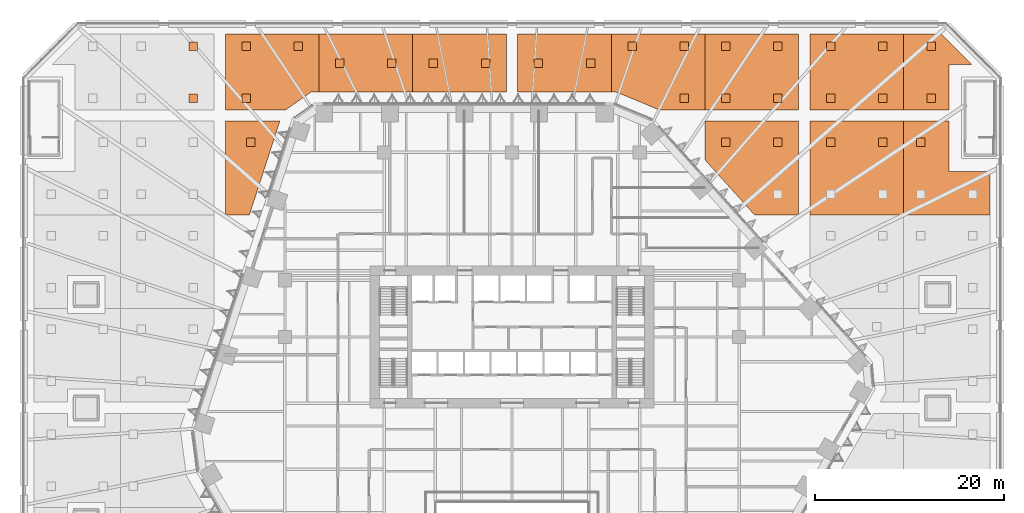
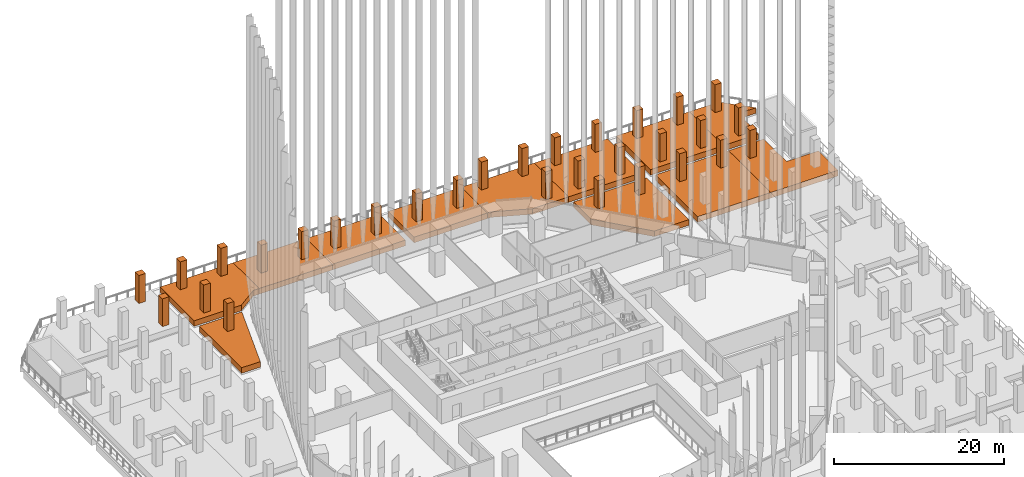
# One storey, part 51 of 51: 30 geographic elements, 12 proxies.
"""IFC4 building model written with IfcOpenShell, lengths in metres."""

from ifc_helpers import new_model, si_unit, direction, frame, origin, origin_2d, place, context, subcontext, project, spatial, polyline, rectangle, outline, extrude, material, type_object, element, save


model = new_model("IFC4")

# Units and contexts
model_context = context("Model", 3, precision=1e-05, world=origin(), true_north=direction((0.0, 1.0)))
body_context = subcontext(model_context, "Body", "Model", "MODEL_VIEW")
ifc_project = project(units=[si_unit("LENGTHUNIT", "METRE"), si_unit("AREAUNIT", "SQUARE_METRE"), si_unit("VOLUMEUNIT", "CUBIC_METRE"), si_unit("PLANEANGLEUNIT", "RADIAN"), si_unit("MASSUNIT", "GRAM", prefix="KILO")], contexts=[model_context])

# Site, building, storey
site_placement = place(None, origin())
site = spatial("IfcSite", under=ifc_project, at=site_placement, CompositionType="ELEMENT")
building_placement = place(site_placement, origin())
building = spatial("IfcBuilding", under=site, at=building_placement, Name="Isthmus Gate Tower", CompositionType="ELEMENT")
storey_placement = place(building_placement, frame((0.0, 0.0, 36.0)))
storey = spatial("IfcBuildingStorey", under=building, at=storey_placement, Name="L06", CompositionType="ELEMENT", Elevation=36.0)

# Geographic elements
ifc_material_1 = material(Name="Plant material, broadleaf tree")
geographic_element_type = type_object("IfcGeographicElementType", Name="BROADLEAF TREE 4000 HIGH", PredefinedType="USERDEFINED", material=ifc_material_1)
for number, where, z_axis, x_axis, name in (
    (1, (-33.699951171875, 32.75, 1.050048828125), (0.0, 0.0, 1.0), (1.0, 0.0, 0.0), "TREE"),
    (2, (-33.699951171875, 38.25, 1.050048828125), (0.0, 0.0, 1.0), (1.0, 0.0, 0.0), "TREE"),
    (3, (-27.59814453125, 28.10009765625, 1.050048828125), (0.0, 0.0, 1.0), (1.0, 0.0, 0.0), "TREE"),
    (4, (-28.10009765625, 32.75, 1.050048828125), (0.0, 0.0, 1.0), (1.0, 0.0, 0.0), "TREE"),
    (5, (-28.10009765625, 38.25, 1.050048828125), (0.0, 0.0, 1.0), (1.0, 0.0, 0.0), "TREE"),
    (6, (-22.60009765625, 38.25, 1.050048828125), (0.0, 0.0, 1.0), (1.0, 0.0, 0.0), "TREE"),
    (7, (-18.199951171875, 36.449951171875, 1.050048828125), (0.0, 0.0, 1.0), (1.0, 0.0, 0.0), "TREE"),
    (8, (-12.699951171875, 36.449951171875, 1.050048828125), (0.0, 0.0, 1.0), (1.0, 0.0, 0.0), "TREE"),
    (9, (-8.300048828125, 36.449951171875, 1.050048828125), (0.0, 0.0, 1.0), (1.0, 0.0, 0.0), "TREE"),
    (10, (-2.800048828125, 36.449951171875, 1.050048828125), (0.0, 0.0, 1.0), (1.0, 0.0, 0.0), "TREE"),
    (11, (2.800048828125, 36.449951171875, 1.050048828125), (0.0, 0.0, 1.0), (1.0, 0.0, 0.0), "TREE"),
    (12, (8.300048828125, 36.449951171875, 1.050048828125), (0.0, 0.0, 1.0), (1.0, 0.0, 0.0), "TREE"),
    (13, (12.699951171875, 38.25, 1.050048828125), (0.0, 0.0, 1.0), (1.0, 0.0, 0.0), "TREE"),
    (14, (18.199951171875, 32.75, 1.050048828125), (0.0, 0.0, 1.0), (1.0, 0.0, 0.0), "TREE"),
    (15, (18.199951171875, 38.25, 1.050048828125), (0.0, 0.0, 1.0), (1.0, 0.0, 0.0), "TREE"),
    (16, (22.60009765625, 32.75, 1.050048828125), (0.0, 0.0, 1.0), (1.0, 0.0, 0.0), "TREE"),
    (17, (22.60009765625, 38.25, 1.050048828125), (0.0, 0.0, 1.0), (1.0, 0.0, 0.0), "TREE"),
    (18, (28.10009765625, 32.75, 1.050048828125), (0.0, 0.0, 1.0), (1.0, 0.0, 0.0), "TREE"),
    (19, (28.10009765625, 38.25, 1.050048828125), (0.0, 0.0, 1.0), (1.0, 0.0, 0.0), "TREE"),
    (20, (22.60009765625, 28.10009765625, 1.050048828125), (0.0, 0.0, 1.0), (1.0, 0.0, 0.0), "TREE"),
    (21, (28.10009765625, 28.10009765625, 1.050048828125), (0.0, 0.0, 1.0), (1.0, 0.0, 0.0), "TREE"),
    (22, (33.699951171875, 28.10009765625, 1.050048828125), (0.0, 0.0, 1.0), (1.0, 0.0, 0.0), "TREE"),
    (23, (39.199951171875, 28.10009765625, 1.050048828125), (0.0, 0.0, 1.0), (1.0, 0.0, 0.0), "TREE"),
    (24, (33.699951171875, 32.75, 1.050048828125), (0.0, 0.0, 1.0), (1.0, 0.0, 0.0), "TREE"),
    (25, (33.699951171875, 38.25, 1.050048828125), (0.0, 0.0, 1.0), (1.0, 0.0, 0.0), "TREE"),
    (26, (39.199951171875, 32.75, 1.050048828125), (0.0, 0.0, 1.0), (1.0, 0.0, 0.0), "TREE"),
    (27, (39.199951171875, 38.25, 1.050048828125), (0.0, 0.0, 1.0), (1.0, 0.0, 0.0), "TREE"),
    (28, (44.317626953125, 32.75, 1.050048828125), (0.0, 0.0, 1.0), (1.0, 0.0, 0.0), "TREE"),
    (29, (44.317626953125, 38.25, 1.050048828125), (0.0, 0.0, 1.0), (1.0, 0.0, 0.0), "TREE"),
    (30, (43.199951171875, 28.10009765625, 1.050048828125), (0.0, 0.0, 1.0), (1.0, 0.0, 0.0), "TREE"),
):
    element("IfcGeographicElement", number, at=place(storey_placement, frame(where, z_axis=z_axis, x_axis=x_axis)), inside=storey, type_object=geographic_element_type, Name=name, ObjectType="TREE", PredefinedType="USERDEFINED", context=body_context, shape_type="SweptSolid", body=[
        extrude(rectangle(XDim=0.89990234375, YDim=0.89990234375, at=origin_2d()), origin(), (0.0, 0.0, 1.0), 4.0),
    ])

# Proxies
ifc_material_2 = material(Name="Concrete f'c 40 MPa", Category="concrete")
building_element_proxy_type = type_object("IfcBuildingElementProxyType", Name="STRUCTURAL CONCRETE PLANTER 800 DEEP", PredefinedType="USERDEFINED", material=ifc_material_2)
proxy_1_placement = place(storey_placement, frame((0.0, 0.0, 0.25)))
element("IfcBuildingElementProxy", 31, at=proxy_1_placement, inside=storey, type_object=building_element_proxy_type, Name="PLANTER", ObjectType="PLANTER", PredefinedType="USERDEFINED", context=body_context, shape_type="SweptSolid", body=[
    extrude(outline(polyline([(-30.300048828125, 20.39990234375), (-27.755126953125, 20.39990234375), (-24.53857421875, 30.300048828125), (-30.300048828125, 30.300048828125), (-30.300048828125, 20.39990234375)])), origin(), (0.0, 0.0, 1.0), 0.800048828125),
])
proxy_2_placement = place(storey_placement, frame((0.0, 0.0, 0.25)))
element("IfcBuildingElementProxy", 32, at=proxy_2_placement, inside=storey, type_object=building_element_proxy_type, Name="PLANTER", ObjectType="PLANTER", PredefinedType="USERDEFINED", context=body_context, shape_type="SweptSolid", body=[
    extrude(outline(polyline([(-20.39990234375, 33.39990234375), (-20.39990234375, 39.5), (-30.300048828125, 39.5), (-30.300048828125, 31.5), (-23.919921875, 31.5), (-21.219482421875, 33.39990234375), (-20.39990234375, 33.39990234375)])), origin(), (0.0, 0.0, 1.0), 0.800048828125),
])
proxy_3_placement = place(storey_placement, frame((0.0, 0.0, 0.25)))
element("IfcBuildingElementProxy", 33, at=proxy_3_placement, inside=storey, type_object=building_element_proxy_type, Name="PLANTER", ObjectType="PLANTER", PredefinedType="USERDEFINED", context=body_context, shape_type="SweptSolid", body=[
    extrude(outline(polyline([(-10.5, 33.39990234375), (-10.5, 39.5), (-20.39990234375, 39.5), (-20.39990234375, 33.39990234375), (-10.5, 33.39990234375)])), origin(), (0.0, 0.0, 1.0), 0.800048828125),
])
proxy_4_placement = place(storey_placement, frame((0.0, 0.0, 0.25)))
element("IfcBuildingElementProxy", 34, at=proxy_4_placement, inside=storey, type_object=building_element_proxy_type, Name="PLANTER", ObjectType="PLANTER", PredefinedType="USERDEFINED", context=body_context, shape_type="SweptSolid", body=[
    extrude(outline(polyline([(-0.60009765625, 33.39990234375), (-0.60009765625, 39.5), (-10.5, 39.5), (-10.5, 33.39990234375), (-0.60009765625, 33.39990234375)])), origin(), (0.0, 0.0, 1.0), 0.800048828125),
])
proxy_5_placement = place(storey_placement, frame((0.0, 0.0, 0.25)))
element("IfcBuildingElementProxy", 35, at=proxy_5_placement, inside=storey, type_object=building_element_proxy_type, Name="PLANTER", ObjectType="PLANTER", PredefinedType="USERDEFINED", context=body_context, shape_type="SweptSolid", body=[
    extrude(outline(polyline([(10.5, 33.39990234375), (10.5, 39.5), (0.60009765625, 39.5), (0.60009765625, 33.39990234375), (10.5, 33.39990234375)])), origin(), (0.0, 0.0, 1.0), 0.800048828125),
])
proxy_6_placement = place(storey_placement, frame((0.0, 0.0, 0.25)))
element("IfcBuildingElementProxy", 36, at=proxy_6_placement, inside=storey, type_object=building_element_proxy_type, Name="PLANTER", ObjectType="PLANTER", PredefinedType="USERDEFINED", context=body_context, shape_type="SweptSolid", body=[
    extrude(outline(polyline([(20.39990234375, 31.5), (20.39990234375, 39.5), (10.5, 39.5), (10.5, 33.39990234375), (10.9814453125, 33.39990234375), (15.550537109375, 31.5), (20.39990234375, 31.5)])), origin(), (0.0, 0.0, 1.0), 0.800048828125),
])
proxy_7_placement = place(storey_placement, frame((0.0, 0.0, 0.25)))
element("IfcBuildingElementProxy", 37, at=proxy_7_placement, inside=storey, type_object=building_element_proxy_type, Name="PLANTER", ObjectType="PLANTER", PredefinedType="USERDEFINED", context=body_context, shape_type="SweptSolid", body=[
    extrude(outline(polyline([(30.300048828125, 31.5), (30.300048828125, 39.5), (20.39990234375, 39.5), (20.39990234375, 31.5), (30.300048828125, 31.5)])), origin(), (0.0, 0.0, 1.0), 0.800048828125),
])
proxy_8_placement = place(storey_placement, frame((0.0, 0.0, 0.25)))
element("IfcBuildingElementProxy", 38, at=proxy_8_placement, inside=storey, type_object=building_element_proxy_type, Name="PLANTER", ObjectType="PLANTER", PredefinedType="USERDEFINED", context=body_context, shape_type="SweptSolid", body=[
    extrude(outline(polyline([(20.39990234375, 30.300048828125), (20.39990234375, 26.2138671875), (25.635009765625, 20.39990234375), (30.300048828125, 20.39990234375), (30.300048828125, 30.300048828125), (20.39990234375, 30.300048828125)])), origin(), (0.0, 0.0, 1.0), 0.800048828125),
])
proxy_9_placement = place(storey_placement, frame((0.0, 0.0, 0.25)))
element("IfcBuildingElementProxy", 39, at=proxy_9_placement, inside=storey, type_object=building_element_proxy_type, Name="PLANTER", ObjectType="PLANTER", PredefinedType="USERDEFINED", context=body_context, shape_type="SweptSolid", body=[
    extrude(outline(polyline([(31.5, 20.39990234375), (41.39990234375, 20.39990234375), (41.39990234375, 30.300048828125), (31.5, 30.300048828125), (31.5, 20.39990234375)])), origin(), (0.0, 0.0, 1.0), 0.800048828125),
])
proxy_10_placement = place(storey_placement, frame((0.0, 0.0, 0.25)))
element("IfcBuildingElementProxy", 40, at=proxy_10_placement, inside=storey, type_object=building_element_proxy_type, Name="PLANTER", ObjectType="PLANTER", PredefinedType="USERDEFINED", context=body_context, shape_type="SweptSolid", body=[
    extrude(outline(polyline([(41.39990234375, 31.5), (41.39990234375, 39.5), (31.5, 39.5), (31.5, 31.5), (41.39990234375, 31.5)])), origin(), (0.0, 0.0, 1.0), 0.800048828125),
])
proxy_11_placement = place(storey_placement, frame((0.0, 0.0, 0.25)))
element("IfcBuildingElementProxy", 41, at=proxy_11_placement, inside=storey, type_object=building_element_proxy_type, Name="PLANTER", ObjectType="PLANTER", PredefinedType="USERDEFINED", context=body_context, shape_type="SweptSolid", body=[
    extrude(outline(polyline([(41.39990234375, 31.5), (46.175048828125, 31.5), (46.175048828125, 36.300048828125), (48.57861328125, 36.300048828125), (45.378662109375, 39.5), (41.39990234375, 39.5), (41.39990234375, 31.5)])), origin(), (0.0, 0.0, 1.0), 0.800048828125),
])
proxy_12_placement = place(storey_placement, frame((0.0, 0.0, 0.25)))
element("IfcBuildingElementProxy", 42, at=proxy_12_placement, inside=storey, type_object=building_element_proxy_type, Name="PLANTER", ObjectType="PLANTER", PredefinedType="USERDEFINED", context=body_context, shape_type="SweptSolid", body=[
    extrude(outline(polyline([(41.39990234375, 20.39990234375), (50.5, 20.39990234375), (50.5, 25.0), (46.175048828125, 25.0), (46.175048828125, 30.300048828125), (41.39990234375, 30.300048828125), (41.39990234375, 20.39990234375)])), origin(), (0.0, 0.0, 1.0), 0.800048828125),
])

save(model, "model.ifc")
